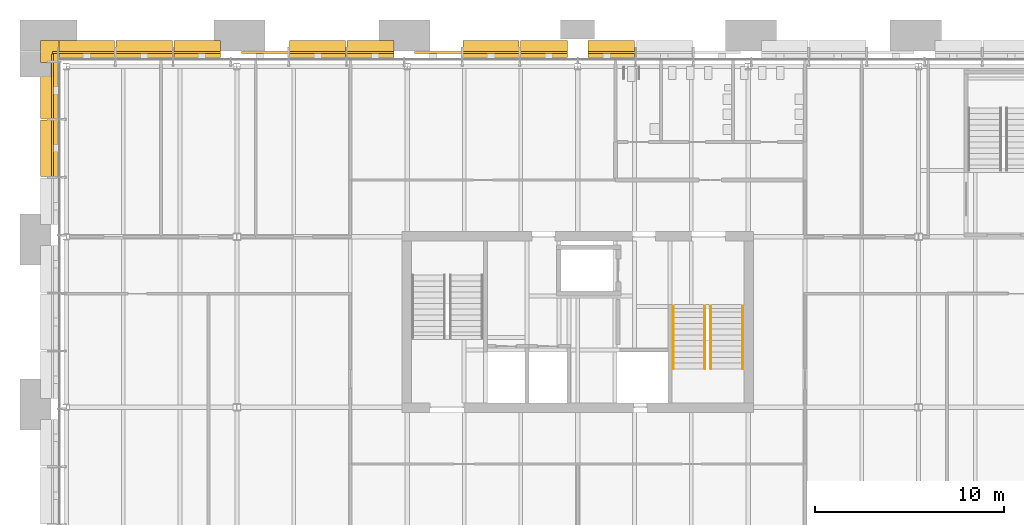
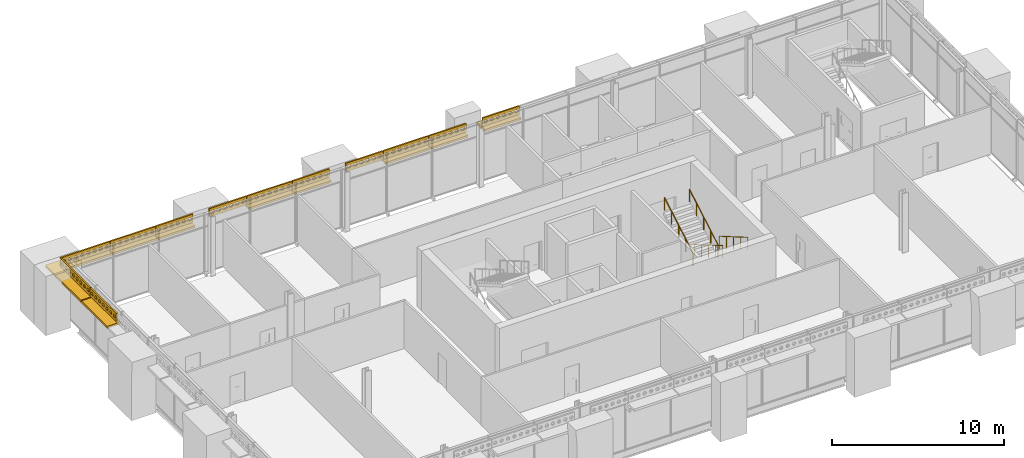
# One storey, part 33 of 37: 23 shading devices, 4 railings.
"""IFC4 building model written with IfcOpenShell, lengths in metres."""

from ifc_helpers import new_model, si_unit, direction, frame, origin, origin_2d, place, context, subcontext, project, spatial, polyline, rectangle, circle, outline, extrude, material, layer, layer_set, type_object, element, save


model = new_model("IFC4")

# Units and contexts
model_context = context("Model", 3, precision=1e-05, world=origin(), true_north=direction((0.0, 1.0)))
body_context = subcontext(model_context, "Body", "Model", "MODEL_VIEW")
ifc_project = project(units=[si_unit("LENGTHUNIT", "METRE"), si_unit("AREAUNIT", "SQUARE_METRE"), si_unit("VOLUMEUNIT", "CUBIC_METRE"), si_unit("PLANEANGLEUNIT", "RADIAN"), si_unit("MASSUNIT", "GRAM", prefix="KILO")], contexts=[model_context])

# Site, building, storey
site_placement = place(None, origin())
site = spatial("IfcSite", under=ifc_project, at=site_placement, CompositionType="ELEMENT")
building_placement = place(site_placement, origin())
building = spatial("IfcBuilding", under=site, at=building_placement, Name="Baradari Gate Terminus", CompositionType="ELEMENT")
storey_placement = place(building_placement, frame((0.0, 0.0, 24.300048828125)))
storey = spatial("IfcBuildingStorey", under=building, at=storey_placement, Name="L05", CompositionType="ELEMENT", Elevation=24.300048828125)

# Shading devices
ifc_material_1 = material(Name="Concrete C40/50 precast", Category="concrete")
ifc_layer_1 = layer(ifc_material_1, 0.14990234375)
ifc_layer_set_1 = layer_set([ifc_layer_1], Name="Concrete C40/50 precast")
shading_device_type_1 = type_object("IfcShadingDeviceType", Name="Chhajja band CJ-1 900x150", PredefinedType="AWNING", material=ifc_layer_set_1)
shading_device_1_placement = place(storey_placement, frame((10.072265625, 144.919921875, 3.33251953125), z_axis=(0.0, 0.0, 1.0), x_axis=(1.0, 0.0, 0.0)))
element("IfcShadingDevice", 1, at=shading_device_1_placement, inside=storey, type_object=shading_device_type_1, Name="Chhajja band CJ-1 L05/TN bay 1", PredefinedType="AWNING", context=body_context, shape_type="SweptSolid", body=[
    extrude(rectangle(XDim=2.939697265625, YDim=0.89990234375, at=origin_2d()), origin(), (0.0, 0.0, 1.0), 0.14990234375),
])
shading_device_2_placement = place(storey_placement, frame((13.1083984375, 144.919921875, 3.33251953125), z_axis=(0.0, 0.0, 1.0), x_axis=(1.0, 0.0, 0.0)))
element("IfcShadingDevice", 2, at=shading_device_2_placement, inside=storey, type_object=shading_device_type_1, Name="Chhajja band CJ-1 L05/TN bay 2", PredefinedType="AWNING", context=body_context, shape_type="SweptSolid", body=[
    extrude(rectangle(XDim=2.97216796875, YDim=0.89990234375, at=origin_2d()), origin(), (0.0, 0.0, 1.0), 0.14990234375),
])
shading_device_3_placement = place(storey_placement, frame((15.905517578125, 144.919921875, 3.33251953125), z_axis=(0.0, 0.0, 1.0), x_axis=(1.0, 0.0, 0.0)))
element("IfcShadingDevice", 3, at=shading_device_3_placement, inside=storey, type_object=shading_device_type_1, Name="Chhajja band CJ-1 L05/TN bay 3", PredefinedType="AWNING", context=body_context, shape_type="SweptSolid", body=[
    extrude(rectangle(XDim=2.462158203125, YDim=0.89990234375, at=origin_2d()), origin(), (0.0, 0.0, 1.0), 0.14990234375),
])
shading_device_4_placement = place(storey_placement, frame((22.264892578125, 144.919921875, 3.33251953125), z_axis=(0.0, 0.0, 1.0), x_axis=(1.0, 0.0, 0.0)))
element("IfcShadingDevice", 4, at=shading_device_4_placement, inside=storey, type_object=shading_device_type_1, Name="Chhajja band CJ-1 L05/TN bay 5", PredefinedType="AWNING", context=body_context, shape_type="SweptSolid", body=[
    extrude(rectangle(XDim=2.97216796875, YDim=0.89990234375, at=origin_2d()), origin(), (0.0, 0.0, 1.0), 0.14990234375),
])
shading_device_5_placement = place(storey_placement, frame((25.062255859375, 144.919921875, 3.33251953125), z_axis=(0.0, 0.0, 1.0), x_axis=(1.0, 0.0, 0.0)))
element("IfcShadingDevice", 5, at=shading_device_5_placement, inside=storey, type_object=shading_device_type_1, Name="Chhajja band CJ-1 L05/TN bay 6", PredefinedType="AWNING", context=body_context, shape_type="SweptSolid", body=[
    extrude(rectangle(XDim=2.462158203125, YDim=0.89990234375, at=origin_2d()), origin(), (0.0, 0.0, 1.0), 0.14990234375),
])
shading_device_6_placement = place(storey_placement, frame((31.421630859375, 144.919921875, 3.33251953125), z_axis=(0.0, 0.0, 1.0), x_axis=(1.0, 0.0, 0.0)))
element("IfcShadingDevice", 6, at=shading_device_6_placement, inside=storey, type_object=shading_device_type_1, Name="Chhajja band CJ-1 L05/TN bay 8", PredefinedType="AWNING", context=body_context, shape_type="SweptSolid", body=[
    extrude(rectangle(XDim=2.97216796875, YDim=0.89990234375, at=origin_2d()), origin(), (0.0, 0.0, 1.0), 0.14990234375),
])
for number, where, z_axis, x_axis, name in (
    (7, (34.218994140625, 144.919921875, 3.33251953125), (0.0, 0.0, 1.0), (1.0, 0.0, 0.0), "Chhajja band CJ-1 L05/TN bay 9"),
    (8, (37.781005859375, 144.919921875, 3.33251953125), (0.0, 0.0, 1.0), (1.0, 0.0, 0.0), "Chhajja band CJ-1 L05/TN bay 10"),
):
    element("IfcShadingDevice", number, at=place(storey_placement, frame(where, z_axis=z_axis, x_axis=x_axis)), inside=storey, type_object=shading_device_type_1, Name=name, PredefinedType="AWNING", context=body_context, shape_type="SweptSolid", body=[
        extrude(rectangle(XDim=2.462158203125, YDim=0.89990234375, at=origin_2d()), origin(), (0.0, 0.0, 1.0), 0.14990234375),
    ])
shading_device_7_placement = place(storey_placement, frame((8.080078125, 139.679931640625, 3.33251953125), z_axis=(0.0, 0.0, 1.0), x_axis=(0.0, 1.0, 0.0)))
element("IfcShadingDevice", 9, at=shading_device_7_placement, inside=storey, type_object=shading_device_type_1, Name="Chhajja band CJ-1 L05/TW bay 8", PredefinedType="AWNING", context=body_context, shape_type="SweptSolid", body=[
    extrude(rectangle(XDim=2.97998046875, YDim=0.89990234375, at=origin_2d()), origin(), (0.0, 0.0, 1.0), 0.14990234375),
])
shading_device_8_placement = place(storey_placement, frame((8.080078125, 142.7236328125, 3.33251953125), z_axis=(0.0, 0.0, 1.0), x_axis=(0.0, 1.0, 0.0)))
element("IfcShadingDevice", 10, at=shading_device_8_placement, inside=storey, type_object=shading_device_type_1, Name="Chhajja band CJ-1 L05/TW bay 9", PredefinedType="AWNING", context=body_context, shape_type="SweptSolid", body=[
    extrude(rectangle(XDim=2.947509765625, YDim=0.89990234375, at=origin_2d()), origin(), (0.0, 0.0, 1.0), 0.14990234375),
])
shading_device_9_placement = place(storey_placement, frame((0.0, 0.0, 3.33251953125)))
element("IfcShadingDevice", 11, at=shading_device_9_placement, inside=storey, type_object=shading_device_type_1, Name="Chhajja band CJ-1 L05/NW corner", PredefinedType="AWNING", context=body_context, shape_type="SweptSolid", body=[
    extrude(outline(polyline([(7.6298828125, 144.197509765625), (8.530029296875, 144.197509765625), (8.530029296875, 144.469970703125), (8.6025390625, 144.469970703125), (8.6025390625, 145.3701171875), (7.6298828125, 145.3701171875), (7.6298828125, 144.197509765625)])), origin(), (0.0, 0.0, 1.0), 0.14990234375),
])

# Railings
ifc_material_2 = material(Name="Stainless steel 1.4301", Category="steel")
railing_type = type_object("IfcRailingType", Name="Handrail HR-1 900", PredefinedType="HANDRAIL", material=ifc_material_2)
for number, where, name in (
    (12, (44.715087890625, 131.324951171875, 0.175048828125), "Handrail ST-T2 L05 flight 1"),
    (13, (43.034912109375, 131.324951171875, 0.175048828125), "Handrail ST-T2 L05 flight 1"),
):
    element("IfcRailing", number, at=place(storey_placement, frame(where)), inside=storey, type_object=railing_type, Name=name, PredefinedType="HANDRAIL", context=body_context, shape_type="SweptSolid", body=[
        extrude(circle(Radius=0.02392578125, at=origin_2d()), frame((0.0, 0.0, 0.8759765625), z_axis=(0.0, -0.863804395585, 0.503827317807), x_axis=(1.0, 0.0, 0.0)), (0.0, 0.0, 1.0), 3.8203125),
        extrude(circle(Radius=0.02099609375, at=origin_2d()), origin(), (0.0, 0.0, 1.0), 0.851806640625),
        extrude(circle(Radius=0.02099609375, at=origin_2d()), frame((0.0, -0.824951171875, 0.481201171875)), (0.0, 0.0, 1.0), 0.851806640625),
        extrude(circle(Radius=0.02099609375, at=origin_2d()), frame((0.0, -1.64990234375, 0.96240234375)), (0.0, 0.0, 1.0), 0.851806640625),
        extrude(circle(Radius=0.02099609375, at=origin_2d()), frame((0.0, -2.47509765625, 1.443603515625)), (0.0, 0.0, 1.0), 0.851806640625),
        extrude(circle(Radius=0.02099609375, at=origin_2d()), frame((0.0, -3.300048828125, 1.9248046875)), (0.0, 0.0, 1.0), 0.851806640625),
    ])
for number, where, name in (
    (14, (42.715087890625, 128.02490234375, 2.27490234375), "Handrail ST-T2 L05 flight 2"),
    (15, (41.034912109375, 128.02490234375, 2.27490234375), "Handrail ST-T2 L05 flight 2"),
):
    element("IfcRailing", number, at=place(storey_placement, frame(where)), inside=storey, type_object=railing_type, Name=name, PredefinedType="HANDRAIL", context=body_context, shape_type="SweptSolid", body=[
        extrude(circle(Radius=0.02392578125, at=origin_2d()), frame((0.0, 0.0, 0.8759765625), z_axis=(0.0, 0.863776583165, 0.503874998761), x_axis=(-1.0, 0.0, 0.0)), (0.0, 0.0, 1.0), 3.820556640625),
        extrude(circle(Radius=0.02099609375, at=origin_2d()), origin(), (0.0, 0.0, 1.0), 0.851806640625),
        extrude(circle(Radius=0.02099609375, at=origin_2d()), frame((0.0, 0.824951171875, 0.481201171875)), (0.0, 0.0, 1.0), 0.851806640625),
        extrude(circle(Radius=0.02099609375, at=origin_2d()), frame((0.0, 1.64990234375, 0.96240234375)), (0.0, 0.0, 1.0), 0.851806640625),
        extrude(circle(Radius=0.02099609375, at=origin_2d()), frame((0.0, 2.47509765625, 1.44384765625)), (0.0, 0.0, 1.0), 0.851806640625),
        extrude(circle(Radius=0.02099609375, at=origin_2d()), frame((0.0, 3.300048828125, 1.925048828125)), (0.0, 0.0, 1.0), 0.851806640625),
    ])

# Shading devices
ifc_material_3 = material(Name="Concrete C50/60 precast", Category="concrete")
ifc_layer_2 = layer(ifc_material_3, 0.10009765625)
ifc_layer_set_2 = layer_set([ifc_layer_2], Name="Concrete C50/60 precast")
shading_device_type_2 = type_object("IfcShadingDeviceType", Name="Jali screen panel JS-1 100", PredefinedType="SHUTTER", material=ifc_layer_set_2)
shading_device_10_placement = place(storey_placement, frame((8.262451171875, 144.719970703125, 3.583740234375), z_axis=(0.0, 0.0, 1.0), x_axis=(1.0, 0.0, 0.0)))
element("IfcShadingDevice", 16, at=shading_device_10_placement, inside=storey, type_object=shading_device_type_2, Name="Jali screen panel JS-1 L05/TN bay 1", PredefinedType="SHUTTER", context=body_context, shape_type="SweptSolid", body=[
    extrude(outline(polyline([(0.0, 0.0), (3.2998046875, 0.0), (3.2998046875, 0.599853515625), (0.0, 0.599853515625), (0.0, 0.0)]), holes=[polyline([(0.336181640625, 0.300048828125), (0.271240234375, 0.187255859375), (0.14111328125, 0.187255859375), (0.076171875, 0.300048828125), (0.14111328125, 0.41259765625), (0.271240234375, 0.41259765625), (0.336181640625, 0.300048828125)]), polyline([(0.748779296875, 0.300048828125), (0.68359375, 0.187255859375), (0.5537109375, 0.187255859375), (0.48876953125, 0.300048828125), (0.5537109375, 0.41259765625), (0.68359375, 0.41259765625), (0.748779296875, 0.300048828125)]), polyline([(1.1611328125, 0.300048828125), (1.09619140625, 0.187255859375), (0.966064453125, 0.187255859375), (0.901123046875, 0.300048828125), (0.966064453125, 0.41259765625), (1.09619140625, 0.41259765625), (1.1611328125, 0.300048828125)]), polyline([(1.57373046875, 0.300048828125), (1.508544921875, 0.187255859375), (1.378662109375, 0.187255859375), (1.313720703125, 0.300048828125), (1.378662109375, 0.41259765625), (1.508544921875, 0.41259765625), (1.57373046875, 0.300048828125)]), polyline([(1.986083984375, 0.300048828125), (1.921142578125, 0.187255859375), (1.791015625, 0.187255859375), (1.72607421875, 0.300048828125), (1.791015625, 0.41259765625), (1.921142578125, 0.41259765625), (1.986083984375, 0.300048828125)]), polyline([(2.3984375, 0.300048828125), (2.33349609375, 0.187255859375), (2.20361328125, 0.187255859375), (2.138671875, 0.300048828125), (2.20361328125, 0.41259765625), (2.33349609375, 0.41259765625), (2.3984375, 0.300048828125)]), polyline([(2.81103515625, 0.300048828125), (2.74609375, 0.187255859375), (2.615966796875, 0.187255859375), (2.551025390625, 0.300048828125), (2.615966796875, 0.41259765625), (2.74609375, 0.41259765625), (2.81103515625, 0.300048828125)]), polyline([(3.223388671875, 0.300048828125), (3.158447265625, 0.187255859375), (3.028564453125, 0.187255859375), (2.96337890625, 0.300048828125), (3.028564453125, 0.41259765625), (3.158447265625, 0.41259765625), (3.223388671875, 0.300048828125)])]), frame((0.0, 0.050048828125, 0.0), z_axis=(0.0, -1.0, 0.0), x_axis=(1.0, 0.0, 0.0)), (0.0, 0.0, 1.0), 0.10009765625),
])
shading_device_11_placement = place(storey_placement, frame((11.602294921875, 144.719970703125, 3.583740234375), z_axis=(0.0, 0.0, 1.0), x_axis=(1.0, 0.0, 0.0)))
element("IfcShadingDevice", 17, at=shading_device_11_placement, inside=storey, type_object=shading_device_type_2, Name="Jali screen panel JS-1 L05/TN bay 2", PredefinedType="SHUTTER", context=body_context, shape_type="SweptSolid", body=[
    extrude(outline(polyline([(0.0, 0.0), (3.01220703125, 0.0), (3.01220703125, 0.599853515625), (0.0, 0.599853515625), (0.0, 0.0)]), holes=[polyline([(0.34521484375, 0.300048828125), (0.2802734375, 0.187255859375), (0.150146484375, 0.187255859375), (0.085205078125, 0.300048828125), (0.150146484375, 0.41259765625), (0.2802734375, 0.41259765625), (0.34521484375, 0.300048828125)]), polyline([(0.775390625, 0.300048828125), (0.71044921875, 0.187255859375), (0.58056640625, 0.187255859375), (0.515380859375, 0.300048828125), (0.58056640625, 0.41259765625), (0.71044921875, 0.41259765625), (0.775390625, 0.300048828125)]), polyline([(1.205810546875, 0.300048828125), (1.140869140625, 0.187255859375), (1.0107421875, 0.187255859375), (0.94580078125, 0.300048828125), (1.0107421875, 0.41259765625), (1.140869140625, 0.41259765625), (1.205810546875, 0.300048828125)]), polyline([(1.63623046875, 0.300048828125), (1.571044921875, 0.187255859375), (1.441162109375, 0.187255859375), (1.376220703125, 0.300048828125), (1.441162109375, 0.41259765625), (1.571044921875, 0.41259765625), (1.63623046875, 0.300048828125)]), polyline([(2.06640625, 0.300048828125), (2.00146484375, 0.187255859375), (1.871337890625, 0.187255859375), (1.806396484375, 0.300048828125), (1.871337890625, 0.41259765625), (2.00146484375, 0.41259765625), (2.06640625, 0.300048828125)]), polyline([(2.496826171875, 0.300048828125), (2.431640625, 0.187255859375), (2.3017578125, 0.187255859375), (2.23681640625, 0.300048828125), (2.3017578125, 0.41259765625), (2.431640625, 0.41259765625), (2.496826171875, 0.300048828125)]), polyline([(2.927001953125, 0.300048828125), (2.862060546875, 0.187255859375), (2.732177734375, 0.187255859375), (2.6669921875, 0.300048828125), (2.732177734375, 0.41259765625), (2.862060546875, 0.41259765625), (2.927001953125, 0.300048828125)])]), frame((0.0, 0.050048828125, 0.0), z_axis=(0.0, -1.0, 0.0), x_axis=(1.0, 0.0, 0.0)), (0.0, 0.0, 1.0), 0.10009765625),
])
shading_device_12_placement = place(storey_placement, frame((14.654541015625, 144.719970703125, 3.583740234375), z_axis=(0.0, 0.0, 1.0), x_axis=(1.0, 0.0, 0.0)))
element("IfcShadingDevice", 18, at=shading_device_12_placement, inside=storey, type_object=shading_device_type_2, Name="Jali screen panel JS-1 L05/TN bay 3", PredefinedType="SHUTTER", context=body_context, shape_type="SweptSolid", body=[
    extrude(outline(polyline([(0.0, 0.0), (2.482177734375, 0.0), (2.482177734375, 0.599853515625), (0.0, 0.599853515625), (0.0, 0.0)]), holes=[polyline([(0.3369140625, 0.300048828125), (0.27197265625, 0.187255859375), (0.141845703125, 0.187255859375), (0.076904296875, 0.300048828125), (0.141845703125, 0.41259765625), (0.27197265625, 0.41259765625), (0.3369140625, 0.300048828125)]), polyline([(0.75048828125, 0.300048828125), (0.685546875, 0.187255859375), (0.5556640625, 0.187255859375), (0.490478515625, 0.300048828125), (0.5556640625, 0.41259765625), (0.685546875, 0.41259765625), (0.75048828125, 0.300048828125)]), polyline([(1.164306640625, 0.300048828125), (1.099365234375, 0.187255859375), (0.96923828125, 0.187255859375), (0.904296875, 0.300048828125), (0.96923828125, 0.41259765625), (1.099365234375, 0.41259765625), (1.164306640625, 0.300048828125)]), polyline([(1.577880859375, 0.300048828125), (1.512939453125, 0.187255859375), (1.383056640625, 0.187255859375), (1.31787109375, 0.300048828125), (1.383056640625, 0.41259765625), (1.512939453125, 0.41259765625), (1.577880859375, 0.300048828125)]), polyline([(1.99169921875, 0.300048828125), (1.9267578125, 0.187255859375), (1.796630859375, 0.187255859375), (1.731689453125, 0.300048828125), (1.796630859375, 0.41259765625), (1.9267578125, 0.41259765625), (1.99169921875, 0.300048828125)]), polyline([(2.4052734375, 0.300048828125), (2.34033203125, 0.187255859375), (2.21044921875, 0.187255859375), (2.145263671875, 0.300048828125), (2.21044921875, 0.41259765625), (2.34033203125, 0.41259765625), (2.4052734375, 0.300048828125)])]), frame((0.0, 0.050048828125, 0.0), z_axis=(0.0, -1.0, 0.0), x_axis=(1.0, 0.0, 0.0)), (0.0, 0.0, 1.0), 0.10009765625),
])
shading_device_13_placement = place(storey_placement, frame((18.236572265625, 144.719970703125, 3.583740234375), z_axis=(0.0, 0.0, 1.0), x_axis=(1.0, 0.0, 0.0)))
element("IfcShadingDevice", 19, at=shading_device_13_placement, inside=storey, type_object=shading_device_type_2, Name="Jali screen panel JS-1 L05/TN bay 4", PredefinedType="SHUTTER", context=body_context, shape_type="SweptSolid", body=[
    extrude(outline(polyline([(0.0, 0.0), (2.482421875, 0.0), (2.482421875, 0.599853515625), (0.0, 0.599853515625), (0.0, 0.0)]), holes=[polyline([(0.3369140625, 0.300048828125), (0.27197265625, 0.187255859375), (0.141845703125, 0.187255859375), (0.076904296875, 0.300048828125), (0.141845703125, 0.41259765625), (0.27197265625, 0.41259765625), (0.3369140625, 0.300048828125)]), polyline([(0.75048828125, 0.300048828125), (0.685546875, 0.187255859375), (0.5556640625, 0.187255859375), (0.490478515625, 0.300048828125), (0.5556640625, 0.41259765625), (0.685546875, 0.41259765625), (0.75048828125, 0.300048828125)]), polyline([(1.164306640625, 0.300048828125), (1.099365234375, 0.187255859375), (0.96923828125, 0.187255859375), (0.904296875, 0.300048828125), (0.96923828125, 0.41259765625), (1.099365234375, 0.41259765625), (1.164306640625, 0.300048828125)]), polyline([(1.577880859375, 0.300048828125), (1.512939453125, 0.187255859375), (1.383056640625, 0.187255859375), (1.31787109375, 0.300048828125), (1.383056640625, 0.41259765625), (1.512939453125, 0.41259765625), (1.577880859375, 0.300048828125)]), polyline([(1.99169921875, 0.300048828125), (1.9267578125, 0.187255859375), (1.796630859375, 0.187255859375), (1.731689453125, 0.300048828125), (1.796630859375, 0.41259765625), (1.9267578125, 0.41259765625), (1.99169921875, 0.300048828125)]), polyline([(2.4052734375, 0.300048828125), (2.34033203125, 0.187255859375), (2.21044921875, 0.187255859375), (2.145263671875, 0.300048828125), (2.21044921875, 0.41259765625), (2.34033203125, 0.41259765625), (2.4052734375, 0.300048828125)])]), frame((0.0, 0.050048828125, 0.0), z_axis=(0.0, -1.0, 0.0), x_axis=(1.0, 0.0, 0.0)), (0.0, 0.0, 1.0), 0.10009765625),
])
shading_device_14_placement = place(storey_placement, frame((20.7587890625, 144.719970703125, 3.583740234375), z_axis=(0.0, 0.0, 1.0), x_axis=(1.0, 0.0, 0.0)))
element("IfcShadingDevice", 20, at=shading_device_14_placement, inside=storey, type_object=shading_device_type_2, Name="Jali screen panel JS-1 L05/TN bay 5", PredefinedType="SHUTTER", context=body_context, shape_type="SweptSolid", body=[
    extrude(outline(polyline([(0.0, 0.0), (3.01220703125, 0.0), (3.01220703125, 0.599853515625), (0.0, 0.599853515625), (0.0, 0.0)]), holes=[polyline([(0.34521484375, 0.300048828125), (0.2802734375, 0.187255859375), (0.150146484375, 0.187255859375), (0.085205078125, 0.300048828125), (0.150146484375, 0.41259765625), (0.2802734375, 0.41259765625), (0.34521484375, 0.300048828125)]), polyline([(0.775390625, 0.300048828125), (0.71044921875, 0.187255859375), (0.58056640625, 0.187255859375), (0.515380859375, 0.300048828125), (0.58056640625, 0.41259765625), (0.71044921875, 0.41259765625), (0.775390625, 0.300048828125)]), polyline([(1.205810546875, 0.300048828125), (1.140869140625, 0.187255859375), (1.0107421875, 0.187255859375), (0.94580078125, 0.300048828125), (1.0107421875, 0.41259765625), (1.140869140625, 0.41259765625), (1.205810546875, 0.300048828125)]), polyline([(1.63623046875, 0.300048828125), (1.571044921875, 0.187255859375), (1.441162109375, 0.187255859375), (1.376220703125, 0.300048828125), (1.441162109375, 0.41259765625), (1.571044921875, 0.41259765625), (1.63623046875, 0.300048828125)]), polyline([(2.06640625, 0.300048828125), (2.00146484375, 0.187255859375), (1.871337890625, 0.187255859375), (1.806396484375, 0.300048828125), (1.871337890625, 0.41259765625), (2.00146484375, 0.41259765625), (2.06640625, 0.300048828125)]), polyline([(2.496826171875, 0.300048828125), (2.431640625, 0.187255859375), (2.3017578125, 0.187255859375), (2.23681640625, 0.300048828125), (2.3017578125, 0.41259765625), (2.431640625, 0.41259765625), (2.496826171875, 0.300048828125)]), polyline([(2.927001953125, 0.300048828125), (2.862060546875, 0.187255859375), (2.732177734375, 0.187255859375), (2.6669921875, 0.300048828125), (2.732177734375, 0.41259765625), (2.862060546875, 0.41259765625), (2.927001953125, 0.300048828125)])]), frame((0.0, 0.050048828125, 0.0), z_axis=(0.0, -1.0, 0.0), x_axis=(1.0, 0.0, 0.0)), (0.0, 0.0, 1.0), 0.10009765625),
])
for number, where, z_axis, x_axis, name in (
    (21, (23.81103515625, 144.719970703125, 3.583740234375), (0.0, 0.0, 1.0), (1.0, 0.0, 0.0), "Jali screen panel JS-1 L05/TN bay 6"),
    (22, (27.393310546875, 144.719970703125, 3.583740234375), (0.0, 0.0, 1.0), (1.0, 0.0, 0.0), "Jali screen panel JS-1 L05/TN bay 7"),
):
    element("IfcShadingDevice", number, at=place(storey_placement, frame(where, z_axis=z_axis, x_axis=x_axis)), inside=storey, type_object=shading_device_type_2, Name=name, PredefinedType="SHUTTER", context=body_context, shape_type="SweptSolid", body=[
        extrude(outline(polyline([(0.0, 0.0), (2.482177734375, 0.0), (2.482177734375, 0.599853515625), (0.0, 0.599853515625), (0.0, 0.0)]), holes=[polyline([(0.3369140625, 0.300048828125), (0.27197265625, 0.187255859375), (0.141845703125, 0.187255859375), (0.076904296875, 0.300048828125), (0.141845703125, 0.41259765625), (0.27197265625, 0.41259765625), (0.3369140625, 0.300048828125)]), polyline([(0.75048828125, 0.300048828125), (0.685546875, 0.187255859375), (0.5556640625, 0.187255859375), (0.490478515625, 0.300048828125), (0.5556640625, 0.41259765625), (0.685546875, 0.41259765625), (0.75048828125, 0.300048828125)]), polyline([(1.164306640625, 0.300048828125), (1.099365234375, 0.187255859375), (0.96923828125, 0.187255859375), (0.904296875, 0.300048828125), (0.96923828125, 0.41259765625), (1.099365234375, 0.41259765625), (1.164306640625, 0.300048828125)]), polyline([(1.577880859375, 0.300048828125), (1.512939453125, 0.187255859375), (1.383056640625, 0.187255859375), (1.31787109375, 0.300048828125), (1.383056640625, 0.41259765625), (1.512939453125, 0.41259765625), (1.577880859375, 0.300048828125)]), polyline([(1.99169921875, 0.300048828125), (1.9267578125, 0.187255859375), (1.796630859375, 0.187255859375), (1.731689453125, 0.300048828125), (1.796630859375, 0.41259765625), (1.9267578125, 0.41259765625), (1.99169921875, 0.300048828125)]), polyline([(2.4052734375, 0.300048828125), (2.34033203125, 0.187255859375), (2.21044921875, 0.187255859375), (2.145263671875, 0.300048828125), (2.21044921875, 0.41259765625), (2.34033203125, 0.41259765625), (2.4052734375, 0.300048828125)])]), frame((0.0, 0.050048828125, 0.0), z_axis=(0.0, -1.0, 0.0), x_axis=(1.0, 0.0, 0.0)), (0.0, 0.0, 1.0), 0.10009765625),
    ])
shading_device_15_placement = place(storey_placement, frame((29.91552734375, 144.719970703125, 3.583740234375), z_axis=(0.0, 0.0, 1.0), x_axis=(1.0, 0.0, 0.0)))
element("IfcShadingDevice", 23, at=shading_device_15_placement, inside=storey, type_object=shading_device_type_2, Name="Jali screen panel JS-1 L05/TN bay 8", PredefinedType="SHUTTER", context=body_context, shape_type="SweptSolid", body=[
    extrude(outline(polyline([(0.0, 0.0), (3.01220703125, 0.0), (3.01220703125, 0.599853515625), (0.0, 0.599853515625), (0.0, 0.0)]), holes=[polyline([(0.34521484375, 0.300048828125), (0.2802734375, 0.187255859375), (0.150146484375, 0.187255859375), (0.085205078125, 0.300048828125), (0.150146484375, 0.41259765625), (0.2802734375, 0.41259765625), (0.34521484375, 0.300048828125)]), polyline([(0.775390625, 0.300048828125), (0.71044921875, 0.187255859375), (0.58056640625, 0.187255859375), (0.515380859375, 0.300048828125), (0.58056640625, 0.41259765625), (0.71044921875, 0.41259765625), (0.775390625, 0.300048828125)]), polyline([(1.205810546875, 0.300048828125), (1.140869140625, 0.187255859375), (1.0107421875, 0.187255859375), (0.94580078125, 0.300048828125), (1.0107421875, 0.41259765625), (1.140869140625, 0.41259765625), (1.205810546875, 0.300048828125)]), polyline([(1.63623046875, 0.300048828125), (1.571044921875, 0.187255859375), (1.441162109375, 0.187255859375), (1.376220703125, 0.300048828125), (1.441162109375, 0.41259765625), (1.571044921875, 0.41259765625), (1.63623046875, 0.300048828125)]), polyline([(2.06640625, 0.300048828125), (2.00146484375, 0.187255859375), (1.871337890625, 0.187255859375), (1.806396484375, 0.300048828125), (1.871337890625, 0.41259765625), (2.00146484375, 0.41259765625), (2.06640625, 0.300048828125)]), polyline([(2.496826171875, 0.300048828125), (2.431640625, 0.187255859375), (2.3017578125, 0.187255859375), (2.23681640625, 0.300048828125), (2.3017578125, 0.41259765625), (2.431640625, 0.41259765625), (2.496826171875, 0.300048828125)]), polyline([(2.927001953125, 0.300048828125), (2.862060546875, 0.187255859375), (2.732177734375, 0.187255859375), (2.6669921875, 0.300048828125), (2.732177734375, 0.41259765625), (2.862060546875, 0.41259765625), (2.927001953125, 0.300048828125)])]), frame((0.0, 0.050048828125, 0.0), z_axis=(0.0, -1.0, 0.0), x_axis=(1.0, 0.0, 0.0)), (0.0, 0.0, 1.0), 0.10009765625),
])
for number, where, z_axis, x_axis, name in (
    (24, (32.9677734375, 144.719970703125, 3.583740234375), (0.0, 0.0, 1.0), (1.0, 0.0, 0.0), "Jali screen panel JS-1 L05/TN bay 9"),
    (25, (36.550048828125, 144.719970703125, 3.583740234375), (0.0, 0.0, 1.0), (1.0, 0.0, 0.0), "Jali screen panel JS-1 L05/TN bay 10"),
):
    element("IfcShadingDevice", number, at=place(storey_placement, frame(where, z_axis=z_axis, x_axis=x_axis)), inside=storey, type_object=shading_device_type_2, Name=name, PredefinedType="SHUTTER", context=body_context, shape_type="SweptSolid", body=[
        extrude(outline(polyline([(0.0, 0.0), (2.482177734375, 0.0), (2.482177734375, 0.599853515625), (0.0, 0.599853515625), (0.0, 0.0)]), holes=[polyline([(0.3369140625, 0.300048828125), (0.27197265625, 0.187255859375), (0.141845703125, 0.187255859375), (0.076904296875, 0.300048828125), (0.141845703125, 0.41259765625), (0.27197265625, 0.41259765625), (0.3369140625, 0.300048828125)]), polyline([(0.75048828125, 0.300048828125), (0.685546875, 0.187255859375), (0.5556640625, 0.187255859375), (0.490478515625, 0.300048828125), (0.5556640625, 0.41259765625), (0.685546875, 0.41259765625), (0.75048828125, 0.300048828125)]), polyline([(1.164306640625, 0.300048828125), (1.099365234375, 0.187255859375), (0.96923828125, 0.187255859375), (0.904296875, 0.300048828125), (0.96923828125, 0.41259765625), (1.099365234375, 0.41259765625), (1.164306640625, 0.300048828125)]), polyline([(1.577880859375, 0.300048828125), (1.512939453125, 0.187255859375), (1.383056640625, 0.187255859375), (1.31787109375, 0.300048828125), (1.383056640625, 0.41259765625), (1.512939453125, 0.41259765625), (1.577880859375, 0.300048828125)]), polyline([(1.99169921875, 0.300048828125), (1.9267578125, 0.187255859375), (1.796630859375, 0.187255859375), (1.731689453125, 0.300048828125), (1.796630859375, 0.41259765625), (1.9267578125, 0.41259765625), (1.99169921875, 0.300048828125)]), polyline([(2.4052734375, 0.300048828125), (2.34033203125, 0.187255859375), (2.21044921875, 0.187255859375), (2.145263671875, 0.300048828125), (2.21044921875, 0.41259765625), (2.34033203125, 0.41259765625), (2.4052734375, 0.300048828125)])]), frame((0.0, 0.050048828125, 0.0), z_axis=(0.0, -1.0, 0.0), x_axis=(1.0, 0.0, 0.0)), (0.0, 0.0, 1.0), 0.10009765625),
    ])
shading_device_16_placement = place(storey_placement, frame((8.280029296875, 138.169921875, 3.583740234375), z_axis=(0.0, 0.0, 1.0), x_axis=(0.0, 1.0, 0.0)))
element("IfcShadingDevice", 26, at=shading_device_16_placement, inside=storey, type_object=shading_device_type_2, Name="Jali screen panel JS-1 L05/TW bay 8", PredefinedType="SHUTTER", context=body_context, shape_type="SweptSolid", body=[
    extrude(outline(polyline([(0.0, 0.0), (3.02001953125, 0.0), (3.02001953125, 0.599853515625), (0.0, 0.599853515625), (0.0, 0.0)]), holes=[polyline([(0.345703125, 0.300048828125), (0.28076171875, 0.187255859375), (0.150634765625, 0.187255859375), (0.085693359375, 0.300048828125), (0.150634765625, 0.41259765625), (0.28076171875, 0.41259765625), (0.345703125, 0.300048828125)]), polyline([(0.777099609375, 0.300048828125), (0.712158203125, 0.187255859375), (0.58203125, 0.187255859375), (0.51708984375, 0.300048828125), (0.58203125, 0.41259765625), (0.712158203125, 0.41259765625), (0.777099609375, 0.300048828125)]), polyline([(1.20849609375, 0.300048828125), (1.1435546875, 0.187255859375), (1.013671875, 0.187255859375), (0.948486328125, 0.300048828125), (1.013671875, 0.41259765625), (1.1435546875, 0.41259765625), (1.20849609375, 0.300048828125)]), polyline([(1.639892578125, 0.300048828125), (1.574951171875, 0.187255859375), (1.445068359375, 0.187255859375), (1.3798828125, 0.300048828125), (1.445068359375, 0.41259765625), (1.574951171875, 0.41259765625), (1.639892578125, 0.300048828125)]), polyline([(2.071533203125, 0.300048828125), (2.00634765625, 0.187255859375), (1.87646484375, 0.187255859375), (1.8115234375, 0.300048828125), (1.87646484375, 0.41259765625), (2.00634765625, 0.41259765625), (2.071533203125, 0.300048828125)]), polyline([(2.5029296875, 0.300048828125), (2.437744140625, 0.187255859375), (2.307861328125, 0.187255859375), (2.242919921875, 0.300048828125), (2.307861328125, 0.41259765625), (2.437744140625, 0.41259765625), (2.5029296875, 0.300048828125)]), polyline([(2.934326171875, 0.300048828125), (2.869384765625, 0.187255859375), (2.7392578125, 0.187255859375), (2.67431640625, 0.300048828125), (2.7392578125, 0.41259765625), (2.869384765625, 0.41259765625), (2.934326171875, 0.300048828125)])]), frame((0.0, 0.050048828125, 0.0), z_axis=(0.0, -1.0, 0.0), x_axis=(1.0, 0.0, 0.0)), (0.0, 0.0, 1.0), 0.10009765625),
])
shading_device_17_placement = place(storey_placement, frame((8.280029296875, 141.22998046875, 3.583740234375), z_axis=(0.0, 0.0, 1.0), x_axis=(0.0, 1.0, 0.0)))
element("IfcShadingDevice", 27, at=shading_device_17_placement, inside=storey, type_object=shading_device_type_2, Name="Jali screen panel JS-1 L05/TW bay 9", PredefinedType="SHUTTER", context=body_context, shape_type="SweptSolid", body=[
    extrude(outline(polyline([(0.0, 0.0), (3.407470703125, 0.0), (3.407470703125, 0.599853515625), (0.0, 0.599853515625), (0.0, 0.0)]), holes=[polyline([(0.343017578125, 0.300048828125), (0.278076171875, 0.187255859375), (0.14794921875, 0.187255859375), (0.0830078125, 0.300048828125), (0.14794921875, 0.41259765625), (0.278076171875, 0.41259765625), (0.343017578125, 0.300048828125)]), polyline([(0.768798828125, 0.300048828125), (0.703857421875, 0.187255859375), (0.573974609375, 0.187255859375), (0.5087890625, 0.300048828125), (0.573974609375, 0.41259765625), (0.703857421875, 0.41259765625), (0.768798828125, 0.300048828125)]), polyline([(1.19482421875, 0.300048828125), (1.1298828125, 0.187255859375), (0.999755859375, 0.187255859375), (0.934814453125, 0.300048828125), (0.999755859375, 0.41259765625), (1.1298828125, 0.41259765625), (1.19482421875, 0.300048828125)]), polyline([(1.620849609375, 0.300048828125), (1.5556640625, 0.187255859375), (1.42578125, 0.187255859375), (1.36083984375, 0.300048828125), (1.42578125, 0.41259765625), (1.5556640625, 0.41259765625), (1.620849609375, 0.300048828125)]), polyline([(2.046630859375, 0.300048828125), (1.981689453125, 0.187255859375), (1.851806640625, 0.187255859375), (1.78662109375, 0.300048828125), (1.851806640625, 0.41259765625), (1.981689453125, 0.41259765625), (2.046630859375, 0.300048828125)]), polyline([(2.47265625, 0.300048828125), (2.40771484375, 0.187255859375), (2.277587890625, 0.187255859375), (2.212646484375, 0.300048828125), (2.277587890625, 0.41259765625), (2.40771484375, 0.41259765625), (2.47265625, 0.300048828125)]), polyline([(2.898681640625, 0.300048828125), (2.83349609375, 0.187255859375), (2.70361328125, 0.187255859375), (2.638671875, 0.300048828125), (2.70361328125, 0.41259765625), (2.83349609375, 0.41259765625), (2.898681640625, 0.300048828125)]), polyline([(3.324462890625, 0.300048828125), (3.259521484375, 0.187255859375), (3.129638671875, 0.187255859375), (3.064453125, 0.300048828125), (3.129638671875, 0.41259765625), (3.259521484375, 0.41259765625), (3.324462890625, 0.300048828125)])]), frame((0.0, 0.050048828125, 0.0), z_axis=(0.0, -1.0, 0.0), x_axis=(1.0, 0.0, 0.0)), (0.0, 0.0, 1.0), 0.10009765625),
])

save(model, "model.ifc")
